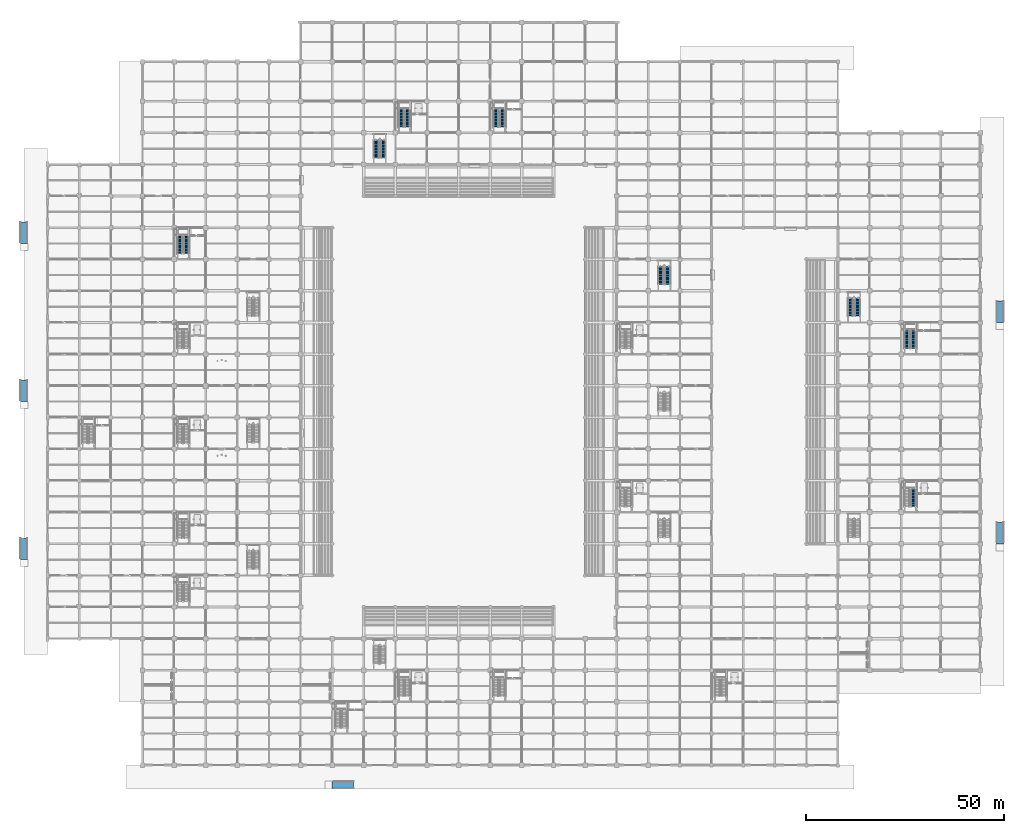
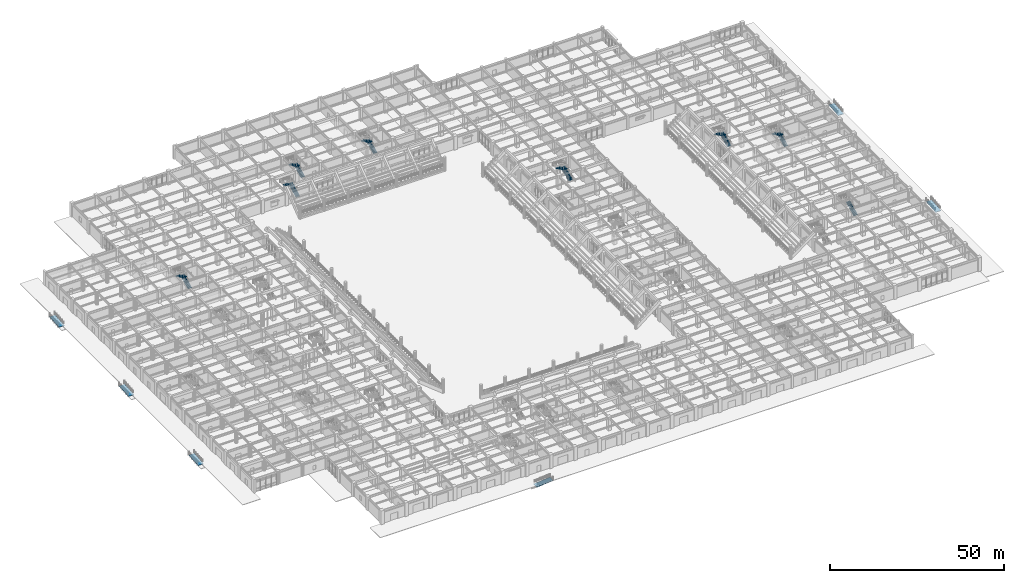
# One storey, part 96 of 125: 15 stair flights, 6 ramp flights, 14 elements without a shape of their own.
"""IFC4 building model written with IfcOpenShell, lengths in metres."""

from ifc_helpers import new_model, si_unit, direction, frame, origin, place, context, subcontext, project, spatial, polyline, outline, extrude, material, layer, layer_set, type_object, element, aggregate, save


model = new_model("IFC4")

# Units and contexts
model_context = context("Model", 3, precision=1e-05, world=origin(), true_north=direction((0.0, 1.0)))
body_context = subcontext(model_context, "Body", "Model", "MODEL_VIEW")
ifc_project = project(units=[si_unit("LENGTHUNIT", "METRE"), si_unit("AREAUNIT", "SQUARE_METRE"), si_unit("VOLUMEUNIT", "CUBIC_METRE"), si_unit("PLANEANGLEUNIT", "RADIAN"), si_unit("MASSUNIT", "GRAM", prefix="KILO")], contexts=[model_context])

# Site, building, storey
site_placement = place(None, origin())
site = spatial("IfcSite", under=ifc_project, at=site_placement, CompositionType="ELEMENT")
building_placement = place(site_placement, origin())
building = spatial("IfcBuilding", under=site, at=building_placement, Name="Haebicheon Civic Stadium", CompositionType="ELEMENT")
storey_placement = place(building_placement, origin())
storey = spatial("IfcBuildingStorey", under=building, at=storey_placement, Name="L01", CompositionType="ELEMENT", Elevation=0.0)

# Stair, stair flights
ifc_material_1 = material(Name="Concrete C40/50", Category="concrete")
stair_type_1 = type_object("IfcStairType", Name="STR-DL-W126-H48", PredefinedType="HALF_TURN_STAIR", material=ifc_material_1)
stair_1_placement = place(storey_placement, origin())
stair_1 = element("IfcStair", 1, at=stair_1_placement, inside=storey, type_object=stair_type_1, material=ifc_material_1, Name="L01 Escape stair ST-05", PredefinedType="HALF_TURN_STAIR")
ifc_material_2 = material(Name="Concrete C40/50", Category="concrete")
stair_flight_type_1 = type_object("IfcStairFlightType", Name="STF-DL-W126-H48", PredefinedType="STRAIGHT", material=ifc_material_2)
stair_flight_1_placement = place(storey_placement, frame((35.110107421875, 129.449951171875, 0.0), z_axis=(0.0, 0.0, 1.0), x_axis=(0.0, 1.0, 0.0)))
stair_flight_1 = element("IfcStairFlight", 2, at=stair_flight_1_placement, type_object=stair_flight_type_1, material=ifc_material_2, Name="ST-05 flight 1", NumberOfRisers=16, NumberOfTreads=15, PredefinedType="STRAIGHT", RiserHeight=0.15, TreadLength=0.3, context=body_context, shape_type="SweptSolid", body=[
    extrude(outline(polyline([(0.0, 0.0), (0.0, 0.14990234375), (0.300048828125, 0.14990234375), (0.300048828125, 0.300048828125), (0.60009765625, 0.300048828125), (0.60009765625, 0.449951171875), (0.89990234375, 0.449951171875), (0.89990234375, 0.60009765625), (1.199951171875, 0.60009765625), (1.199951171875, 0.75), (1.5, 0.75), (1.5, 0.89990234375), (1.800048828125, 0.89990234375), (1.800048828125, 1.050048828125), (2.10009765625, 1.050048828125), (2.10009765625, 1.199951171875), (2.39990234375, 1.199951171875), (2.39990234375, 1.35009765625), (2.699951171875, 1.35009765625), (2.699951171875, 1.5), (3.0, 1.5), (3.0, 1.64990234375), (3.300048828125, 1.64990234375), (3.300048828125, 1.800048828125), (3.60009765625, 1.800048828125), (3.60009765625, 1.949951171875), (3.89990234375, 1.949951171875), (3.89990234375, 2.10009765625), (4.199951171875, 2.10009765625), (4.199951171875, 2.25), (4.5, 2.25), (4.5, 2.39990234375), (4.5, 2.0712890625), (0.357666015625, 0.0), (0.0, 0.0)])), frame((0.0, 0.6298828125, 0.0), z_axis=(0.0, -1.0, 0.0), x_axis=(1.0, 0.0, 0.0)), (0.0, 0.0, 1.0), 1.260009765625),
])
stair_flight_2_placement = place(storey_placement, frame((33.469970703125, 133.949951171875, 2.39990234375), z_axis=(0.0, 0.0, 1.0), x_axis=(0.0, -1.0, 0.0)))
stair_flight_2 = element("IfcStairFlight", 3, at=stair_flight_2_placement, type_object=stair_flight_type_1, material=ifc_material_2, Name="ST-05 flight 2", NumberOfRisers=16, NumberOfTreads=15, PredefinedType="STRAIGHT", RiserHeight=0.15, TreadLength=0.3, context=body_context, shape_type="SweptSolid", body=[
    extrude(outline(polyline([(0.0, 0.0), (0.0, 0.14990234375), (0.300048828125, 0.14990234375), (0.300048828125, 0.300048828125), (0.60009765625, 0.300048828125), (0.60009765625, 0.449951171875), (0.89990234375, 0.449951171875), (0.89990234375, 0.60009765625), (1.199951171875, 0.60009765625), (1.199951171875, 0.75), (1.5, 0.75), (1.5, 0.89990234375), (1.800048828125, 0.89990234375), (1.800048828125, 1.050048828125), (2.10009765625, 1.050048828125), (2.10009765625, 1.199951171875), (2.39990234375, 1.199951171875), (2.39990234375, 1.35009765625), (2.699951171875, 1.35009765625), (2.699951171875, 1.5), (3.0, 1.5), (3.0, 1.64990234375), (3.300048828125, 1.64990234375), (3.300048828125, 1.800048828125), (3.60009765625, 1.800048828125), (3.60009765625, 1.949951171875), (3.89990234375, 1.949951171875), (3.89990234375, 2.10009765625), (4.199951171875, 2.10009765625), (4.199951171875, 2.25), (4.5, 2.25), (4.5, 2.39990234375), (4.5, 2.0712890625), (0.357666015625, 0.0), (0.0, 0.0)])), frame((0.0, 0.6298828125, 0.0), z_axis=(0.0, -1.0, 0.0), x_axis=(1.0, 0.0, 0.0)), (0.0, 0.0, 1.0), 1.260009765625),
])
aggregate(stair_1, [stair_flight_1, stair_flight_2])

stair_2_placement = place(storey_placement, origin())
stair_2 = element("IfcStair", 4, at=stair_2_placement, inside=storey, type_object=stair_type_1, material=ifc_material_1, Name="L01 Escape stair ST-09", PredefinedType="HALF_TURN_STAIR")
stair_flight_3_placement = place(storey_placement, frame((115.110107421875, 161.449951171875, 0.0), z_axis=(0.0, 0.0, 1.0), x_axis=(0.0, 1.0, 0.0)))
stair_flight_3 = element("IfcStairFlight", 5, at=stair_flight_3_placement, type_object=stair_flight_type_1, material=ifc_material_2, Name="ST-09 flight 1", NumberOfRisers=16, NumberOfTreads=15, PredefinedType="STRAIGHT", RiserHeight=0.15, TreadLength=0.3, context=body_context, shape_type="SweptSolid", body=[
    extrude(outline(polyline([(0.0, 0.0), (0.0, 0.14990234375), (0.300048828125, 0.14990234375), (0.300048828125, 0.300048828125), (0.60009765625, 0.300048828125), (0.60009765625, 0.449951171875), (0.89990234375, 0.449951171875), (0.89990234375, 0.60009765625), (1.199951171875, 0.60009765625), (1.199951171875, 0.75), (1.5, 0.75), (1.5, 0.89990234375), (1.800048828125, 0.89990234375), (1.800048828125, 1.050048828125), (2.10009765625, 1.050048828125), (2.10009765625, 1.199951171875), (2.39990234375, 1.199951171875), (2.39990234375, 1.35009765625), (2.699951171875, 1.35009765625), (2.699951171875, 1.5), (3.0, 1.5), (3.0, 1.64990234375), (3.300048828125, 1.64990234375), (3.300048828125, 1.800048828125), (3.60009765625, 1.800048828125), (3.60009765625, 1.949951171875), (3.89990234375, 1.949951171875), (3.89990234375, 2.10009765625), (4.199951171875, 2.10009765625), (4.199951171875, 2.25), (4.5, 2.25), (4.5, 2.39990234375), (4.5, 2.0712890625), (0.357666015625, 0.0), (0.0, 0.0)])), frame((0.0, 0.6298828125, 0.0), z_axis=(0.0, -1.0, 0.0), x_axis=(1.0, 0.0, 0.0)), (0.0, 0.0, 1.0), 1.260009765625),
])
stair_flight_4_placement = place(storey_placement, frame((113.469970703125, 165.949951171875, 2.39990234375), z_axis=(0.0, 0.0, 1.0), x_axis=(0.0, -1.0, 0.0)))
stair_flight_4 = element("IfcStairFlight", 6, at=stair_flight_4_placement, type_object=stair_flight_type_1, material=ifc_material_2, Name="ST-09 flight 2", NumberOfRisers=16, NumberOfTreads=15, PredefinedType="STRAIGHT", RiserHeight=0.15, TreadLength=0.3, context=body_context, shape_type="SweptSolid", body=[
    extrude(outline(polyline([(0.0, 0.0), (0.0, 0.14990234375), (0.300048828125, 0.14990234375), (0.300048828125, 0.300048828125), (0.60009765625, 0.300048828125), (0.60009765625, 0.449951171875), (0.89990234375, 0.449951171875), (0.89990234375, 0.60009765625), (1.199951171875, 0.60009765625), (1.199951171875, 0.75), (1.5, 0.75), (1.5, 0.89990234375), (1.800048828125, 0.89990234375), (1.800048828125, 1.050048828125), (2.10009765625, 1.050048828125), (2.10009765625, 1.199951171875), (2.39990234375, 1.199951171875), (2.39990234375, 1.35009765625), (2.699951171875, 1.35009765625), (2.699951171875, 1.5), (3.0, 1.5), (3.0, 1.64990234375), (3.300048828125, 1.64990234375), (3.300048828125, 1.800048828125), (3.60009765625, 1.800048828125), (3.60009765625, 1.949951171875), (3.89990234375, 1.949951171875), (3.89990234375, 2.10009765625), (4.199951171875, 2.10009765625), (4.199951171875, 2.25), (4.5, 2.25), (4.5, 2.39990234375), (4.5, 2.0712890625), (0.357666015625, 0.0), (0.0, 0.0)])), frame((0.0, 0.6298828125, 0.0), z_axis=(0.0, -1.0, 0.0), x_axis=(1.0, 0.0, 0.0)), (0.0, 0.0, 1.0), 1.260009765625),
])
aggregate(stair_2, [stair_flight_3, stair_flight_4])

stair_3_placement = place(storey_placement, origin())
stair_3 = element("IfcStair", 7, at=stair_3_placement, inside=storey, type_object=stair_type_1, material=ifc_material_1, Name="L01 Escape stair ST-13", PredefinedType="HALF_TURN_STAIR")
stair_flight_5_placement = place(storey_placement, frame((219.110107421875, 105.449951171875, 0.0), z_axis=(0.0, 0.0, 1.0), x_axis=(0.0, 1.0, 0.0)))
stair_flight_5 = element("IfcStairFlight", 8, at=stair_flight_5_placement, type_object=stair_flight_type_1, material=ifc_material_2, Name="ST-13 flight 1", NumberOfRisers=16, NumberOfTreads=15, PredefinedType="STRAIGHT", RiserHeight=0.15, TreadLength=0.3, context=body_context, shape_type="SweptSolid", body=[
    extrude(outline(polyline([(0.0, 0.0), (0.0, 0.14990234375), (0.300048828125, 0.14990234375), (0.300048828125, 0.300048828125), (0.60009765625, 0.300048828125), (0.60009765625, 0.449951171875), (0.89990234375, 0.449951171875), (0.89990234375, 0.60009765625), (1.199951171875, 0.60009765625), (1.199951171875, 0.75), (1.5, 0.75), (1.5, 0.89990234375), (1.800048828125, 0.89990234375), (1.800048828125, 1.050048828125), (2.10009765625, 1.050048828125), (2.10009765625, 1.199951171875), (2.39990234375, 1.199951171875), (2.39990234375, 1.35009765625), (2.699951171875, 1.35009765625), (2.699951171875, 1.5), (3.0, 1.5), (3.0, 1.64990234375), (3.300048828125, 1.64990234375), (3.300048828125, 1.800048828125), (3.60009765625, 1.800048828125), (3.60009765625, 1.949951171875), (3.89990234375, 1.949951171875), (3.89990234375, 2.10009765625), (4.199951171875, 2.10009765625), (4.199951171875, 2.25), (4.5, 2.25), (4.5, 2.39990234375), (4.5, 2.0712890625), (0.357666015625, 0.0), (0.0, 0.0)])), frame((0.0, 0.6298828125, 0.0), z_axis=(0.0, -1.0, 0.0), x_axis=(1.0, 0.0, 0.0)), (0.0, 0.0, 1.0), 1.260009765625),
])
stair_flight_6_placement = place(storey_placement, frame((217.469970703125, 109.949951171875, 2.39990234375), z_axis=(0.0, 0.0, 1.0), x_axis=(0.0, -1.0, 0.0)))
stair_flight_6 = element("IfcStairFlight", 9, at=stair_flight_6_placement, type_object=stair_flight_type_1, material=ifc_material_2, Name="ST-13 flight 2", NumberOfRisers=16, NumberOfTreads=15, PredefinedType="STRAIGHT", RiserHeight=0.15, TreadLength=0.3, context=body_context, shape_type="SweptSolid", body=[
    extrude(outline(polyline([(0.0, 0.0), (0.0, 0.14990234375), (0.300048828125, 0.14990234375), (0.300048828125, 0.300048828125), (0.60009765625, 0.300048828125), (0.60009765625, 0.449951171875), (0.89990234375, 0.449951171875), (0.89990234375, 0.60009765625), (1.199951171875, 0.60009765625), (1.199951171875, 0.75), (1.5, 0.75), (1.5, 0.89990234375), (1.800048828125, 0.89990234375), (1.800048828125, 1.050048828125), (2.10009765625, 1.050048828125), (2.10009765625, 1.199951171875), (2.39990234375, 1.199951171875), (2.39990234375, 1.35009765625), (2.699951171875, 1.35009765625), (2.699951171875, 1.5), (3.0, 1.5), (3.0, 1.64990234375), (3.300048828125, 1.64990234375), (3.300048828125, 1.800048828125), (3.60009765625, 1.800048828125), (3.60009765625, 1.949951171875), (3.89990234375, 1.949951171875), (3.89990234375, 2.10009765625), (4.199951171875, 2.10009765625), (4.199951171875, 2.25), (4.5, 2.25), (4.5, 2.39990234375), (4.5, 2.0712890625), (0.357666015625, 0.0), (0.0, 0.0)])), frame((0.0, 0.6298828125, 0.0), z_axis=(0.0, -1.0, 0.0), x_axis=(1.0, 0.0, 0.0)), (0.0, 0.0, 1.0), 1.260009765625),
])
aggregate(stair_3, [stair_flight_5, stair_flight_6])

ifc_material_3 = material(Name="Concrete C40/50", Category="concrete")
stair_type_2 = type_object("IfcStairType", Name="STR-DL-W128-H48", PredefinedType="HALF_TURN_STAIR", material=ifc_material_3)
stair_4_placement = place(storey_placement, origin())
stair_4 = element("IfcStair", 10, at=stair_4_placement, inside=storey, type_object=stair_type_2, material=ifc_material_3, Name="L01 Escape stair ST-08", PredefinedType="HALF_TURN_STAIR")
ifc_material_4 = material(Name="Concrete C40/50", Category="concrete")
stair_flight_type_2 = type_object("IfcStairFlightType", Name="STF-DL-W128-H48", PredefinedType="STRAIGHT", material=ifc_material_4)
stair_flight_7_placement = place(storey_placement, frame((91.10009765625, 161.449951171875, 0.0), z_axis=(0.0, 0.0, 1.0), x_axis=(0.0, 1.0, 0.0)))
stair_flight_7 = element("IfcStairFlight", 11, at=stair_flight_7_placement, type_object=stair_flight_type_2, material=ifc_material_4, Name="ST-08 flight 1", NumberOfRisers=16, NumberOfTreads=15, PredefinedType="STRAIGHT", RiserHeight=0.15, TreadLength=0.3, context=body_context, shape_type="SweptSolid", body=[
    extrude(outline(polyline([(0.0, 0.0), (0.0, 0.14990234375), (0.300048828125, 0.14990234375), (0.300048828125, 0.300048828125), (0.60009765625, 0.300048828125), (0.60009765625, 0.449951171875), (0.89990234375, 0.449951171875), (0.89990234375, 0.60009765625), (1.199951171875, 0.60009765625), (1.199951171875, 0.75), (1.5, 0.75), (1.5, 0.89990234375), (1.800048828125, 0.89990234375), (1.800048828125, 1.050048828125), (2.10009765625, 1.050048828125), (2.10009765625, 1.199951171875), (2.39990234375, 1.199951171875), (2.39990234375, 1.35009765625), (2.699951171875, 1.35009765625), (2.699951171875, 1.5), (3.0, 1.5), (3.0, 1.64990234375), (3.300048828125, 1.64990234375), (3.300048828125, 1.800048828125), (3.60009765625, 1.800048828125), (3.60009765625, 1.949951171875), (3.89990234375, 1.949951171875), (3.89990234375, 2.10009765625), (4.199951171875, 2.10009765625), (4.199951171875, 2.25), (4.5, 2.25), (4.5, 2.39990234375), (4.5, 2.0712890625), (0.357666015625, 0.0), (0.0, 0.0)])), frame((0.0, 0.64013671875, 0.0), z_axis=(0.0, -1.0, 0.0), x_axis=(1.0, 0.0, 0.0)), (0.0, 0.0, 1.0), 1.280029296875),
])
stair_flight_8_placement = place(storey_placement, frame((89.47998046875, 165.949951171875, 2.39990234375), z_axis=(0.0, 0.0, 1.0), x_axis=(0.0, -1.0, 0.0)))
stair_flight_8 = element("IfcStairFlight", 12, at=stair_flight_8_placement, type_object=stair_flight_type_2, material=ifc_material_4, Name="ST-08 flight 2", NumberOfRisers=16, NumberOfTreads=15, PredefinedType="STRAIGHT", RiserHeight=0.15, TreadLength=0.3, context=body_context, shape_type="SweptSolid", body=[
    extrude(outline(polyline([(0.0, 0.0), (0.0, 0.14990234375), (0.300048828125, 0.14990234375), (0.300048828125, 0.300048828125), (0.60009765625, 0.300048828125), (0.60009765625, 0.449951171875), (0.89990234375, 0.449951171875), (0.89990234375, 0.60009765625), (1.199951171875, 0.60009765625), (1.199951171875, 0.75), (1.5, 0.75), (1.5, 0.89990234375), (1.800048828125, 0.89990234375), (1.800048828125, 1.050048828125), (2.10009765625, 1.050048828125), (2.10009765625, 1.199951171875), (2.39990234375, 1.199951171875), (2.39990234375, 1.35009765625), (2.699951171875, 1.35009765625), (2.699951171875, 1.5), (3.0, 1.5), (3.0, 1.64990234375), (3.300048828125, 1.64990234375), (3.300048828125, 1.800048828125), (3.60009765625, 1.800048828125), (3.60009765625, 1.949951171875), (3.89990234375, 1.949951171875), (3.89990234375, 2.10009765625), (4.199951171875, 2.10009765625), (4.199951171875, 2.25), (4.5, 2.25), (4.5, 2.39990234375), (4.5, 2.0712890625), (0.357666015625, 0.0), (0.0, 0.0)])), frame((0.0, 0.64013671875, 0.0), z_axis=(0.0, -1.0, 0.0), x_axis=(1.0, 0.0, 0.0)), (0.0, 0.0, 1.0), 1.280029296875),
])
aggregate(stair_4, [stair_flight_7, stair_flight_8])

# Stair, stair flight
stair_5_placement = place(storey_placement, origin())
stair_5 = element("IfcStair", 13, at=stair_5_placement, inside=storey, type_object=stair_type_2, material=ifc_material_3, Name="L01 Escape stair ST-12", PredefinedType="HALF_TURN_STAIR")
stair_flight_9_placement = place(storey_placement, frame((219.10009765625, 65.449951171875, 0.0), z_axis=(0.0, 0.0, 1.0), x_axis=(0.0, 1.0, 0.0)))
stair_flight_9 = element("IfcStairFlight", 14, at=stair_flight_9_placement, type_object=stair_flight_type_2, material=ifc_material_4, Name="ST-12 flight 1", NumberOfRisers=16, NumberOfTreads=15, PredefinedType="STRAIGHT", RiserHeight=0.15, TreadLength=0.3, context=body_context, shape_type="SweptSolid", body=[
    extrude(outline(polyline([(0.0, 0.0), (0.0, 0.14990234375), (0.300048828125, 0.14990234375), (0.300048828125, 0.300048828125), (0.60009765625, 0.300048828125), (0.60009765625, 0.449951171875), (0.89990234375, 0.449951171875), (0.89990234375, 0.60009765625), (1.199951171875, 0.60009765625), (1.199951171875, 0.75), (1.5, 0.75), (1.5, 0.89990234375), (1.800048828125, 0.89990234375), (1.800048828125, 1.050048828125), (2.10009765625, 1.050048828125), (2.10009765625, 1.199951171875), (2.39990234375, 1.199951171875), (2.39990234375, 1.35009765625), (2.699951171875, 1.35009765625), (2.699951171875, 1.5), (3.0, 1.5), (3.0, 1.64990234375), (3.300048828125, 1.64990234375), (3.300048828125, 1.800048828125), (3.60009765625, 1.800048828125), (3.60009765625, 1.949951171875), (3.89990234375, 1.949951171875), (3.89990234375, 2.10009765625), (4.199951171875, 2.10009765625), (4.199951171875, 2.25), (4.5, 2.25), (4.5, 2.39990234375), (4.5, 2.0712890625), (0.357666015625, 0.0), (0.0, 0.0)])), frame((0.0, 0.64013671875, 0.0), z_axis=(0.0, -1.0, 0.0), x_axis=(1.0, 0.0, 0.0)), (0.0, 0.0, 1.0), 1.280029296875),
])
aggregate(stair_5, [stair_flight_9])

# Stair, stair flights
ifc_material_5 = material(Name="Concrete C40/50", Category="concrete")
stair_type_3 = type_object("IfcStairType", Name="STR-DL-W136-H48", PredefinedType="HALF_TURN_STAIR", material=ifc_material_5)
stair_6_placement = place(storey_placement, origin())
stair_6 = element("IfcStair", 15, at=stair_6_placement, inside=storey, type_object=stair_type_3, material=ifc_material_5, Name="Vomitory stair VM-09 (L01)", PredefinedType="HALF_TURN_STAIR")
ifc_material_6 = material(Name="Concrete C40/50", Category="concrete")
stair_flight_type_3 = type_object("IfcStairFlightType", Name="STF-DL-W136-H48", PredefinedType="STRAIGHT", material=ifc_material_6)
stair_flight_10_placement = place(storey_placement, frame((84.9599609375, 153.64990234375, 0.0), z_axis=(0.0, 0.0, 1.0), x_axis=(0.0, 1.0, 0.0)))
stair_flight_10 = element("IfcStairFlight", 16, at=stair_flight_10_placement, type_object=stair_flight_type_3, material=ifc_material_6, Name="VM-09 flight 1", NumberOfRisers=16, NumberOfTreads=15, PredefinedType="STRAIGHT", RiserHeight=0.15, TreadLength=0.3, context=body_context, shape_type="SweptSolid", body=[
    extrude(outline(polyline([(0.0, 0.0), (0.0, 0.14990234375), (0.300048828125, 0.14990234375), (0.300048828125, 0.300048828125), (0.60009765625, 0.300048828125), (0.60009765625, 0.449951171875), (0.89990234375, 0.449951171875), (0.89990234375, 0.60009765625), (1.199951171875, 0.60009765625), (1.199951171875, 0.75), (1.5, 0.75), (1.5, 0.89990234375), (1.800048828125, 0.89990234375), (1.800048828125, 1.050048828125), (2.10009765625, 1.050048828125), (2.10009765625, 1.199951171875), (2.39990234375, 1.199951171875), (2.39990234375, 1.35009765625), (2.699951171875, 1.35009765625), (2.699951171875, 1.5), (3.0, 1.5), (3.0, 1.64990234375), (3.300048828125, 1.64990234375), (3.300048828125, 1.800048828125), (3.60009765625, 1.800048828125), (3.60009765625, 1.949951171875), (3.89990234375, 1.949951171875), (3.89990234375, 2.10009765625), (4.199951171875, 2.10009765625), (4.199951171875, 2.25), (4.5, 2.25), (4.5, 2.39990234375), (4.5, 2.0712890625), (0.357666015625, 0.0), (0.0, 0.0)])), frame((0.0, 0.68017578125, 0.0), z_axis=(0.0, -1.0, 0.0), x_axis=(1.0, 0.0, 0.0)), (0.0, 0.0, 1.0), 1.360107421875),
])
stair_flight_11_placement = place(storey_placement, frame((83.139892578125, 158.14990234375, 2.39990234375), z_axis=(0.0, 0.0, 1.0), x_axis=(0.0, -1.0, 0.0)))
stair_flight_11 = element("IfcStairFlight", 17, at=stair_flight_11_placement, type_object=stair_flight_type_3, material=ifc_material_6, Name="VM-09 flight 2", NumberOfRisers=16, NumberOfTreads=15, PredefinedType="STRAIGHT", RiserHeight=0.15, TreadLength=0.3, context=body_context, shape_type="SweptSolid", body=[
    extrude(outline(polyline([(0.0, 0.0), (0.0, 0.14990234375), (0.300048828125, 0.14990234375), (0.300048828125, 0.300048828125), (0.60009765625, 0.300048828125), (0.60009765625, 0.449951171875), (0.89990234375, 0.449951171875), (0.89990234375, 0.60009765625), (1.199951171875, 0.60009765625), (1.199951171875, 0.75), (1.5, 0.75), (1.5, 0.89990234375), (1.800048828125, 0.89990234375), (1.800048828125, 1.050048828125), (2.10009765625, 1.050048828125), (2.10009765625, 1.199951171875), (2.39990234375, 1.199951171875), (2.39990234375, 1.35009765625), (2.699951171875, 1.35009765625), (2.699951171875, 1.5), (3.0, 1.5), (3.0, 1.64990234375), (3.300048828125, 1.64990234375), (3.300048828125, 1.800048828125), (3.60009765625, 1.800048828125), (3.60009765625, 1.949951171875), (3.89990234375, 1.949951171875), (3.89990234375, 2.10009765625), (4.199951171875, 2.10009765625), (4.199951171875, 2.25), (4.5, 2.25), (4.5, 2.39990234375), (4.5, 2.0712890625), (0.357666015625, 0.0), (0.0, 0.0)])), frame((0.0, 0.68017578125, 0.0), z_axis=(0.0, -1.0, 0.0), x_axis=(1.0, 0.0, 0.0)), (0.0, 0.0, 1.0), 1.360107421875),
])
aggregate(stair_6, [stair_flight_10, stair_flight_11])

ifc_material_7 = material(Name="Concrete C40/50", Category="concrete")
stair_type_4 = type_object("IfcStairType", Name="STR-DL-W140-H48", PredefinedType="HALF_TURN_STAIR", material=ifc_material_7)
stair_7_placement = place(storey_placement, origin())
stair_7 = element("IfcStair", 18, at=stair_7_placement, inside=storey, type_object=stair_type_4, material=ifc_material_7, Name="Vomitory stair VM-08 (L01)", PredefinedType="HALF_TURN_STAIR")
ifc_material_8 = material(Name="Concrete C40/50", Category="concrete")
stair_flight_type_4 = type_object("IfcStairFlightType", Name="STF-DL-W140-H48", PredefinedType="STRAIGHT", material=ifc_material_8)
stair_flight_12_placement = place(storey_placement, frame((156.93994140625, 121.64990234375, 0.0), z_axis=(0.0, 0.0, 1.0), x_axis=(0.0, 1.0, 0.0)))
stair_flight_12 = element("IfcStairFlight", 19, at=stair_flight_12_placement, type_object=stair_flight_type_4, material=ifc_material_8, Name="VM-08 flight 1", NumberOfRisers=16, NumberOfTreads=15, PredefinedType="STRAIGHT", RiserHeight=0.15, TreadLength=0.3, context=body_context, shape_type="SweptSolid", body=[
    extrude(outline(polyline([(0.0, 0.0), (0.0, 0.14990234375), (0.300048828125, 0.14990234375), (0.300048828125, 0.300048828125), (0.60009765625, 0.300048828125), (0.60009765625, 0.449951171875), (0.89990234375, 0.449951171875), (0.89990234375, 0.60009765625), (1.199951171875, 0.60009765625), (1.199951171875, 0.75), (1.5, 0.75), (1.5, 0.89990234375), (1.800048828125, 0.89990234375), (1.800048828125, 1.050048828125), (2.10009765625, 1.050048828125), (2.10009765625, 1.199951171875), (2.39990234375, 1.199951171875), (2.39990234375, 1.35009765625), (2.699951171875, 1.35009765625), (2.699951171875, 1.5), (3.0, 1.5), (3.0, 1.64990234375), (3.300048828125, 1.64990234375), (3.300048828125, 1.800048828125), (3.60009765625, 1.800048828125), (3.60009765625, 1.949951171875), (3.89990234375, 1.949951171875), (3.89990234375, 2.10009765625), (4.199951171875, 2.10009765625), (4.199951171875, 2.25), (4.5, 2.25), (4.5, 2.39990234375), (4.5, 2.0712890625), (0.357666015625, 0.0), (0.0, 0.0)])), frame((0.0, 0.699951171875, 0.0), z_axis=(0.0, -1.0, 0.0), x_axis=(1.0, 0.0, 0.0)), (0.0, 0.0, 1.0), 1.39990234375),
])
stair_flight_13_placement = place(storey_placement, frame((155.159912109375, 126.14990234375, 2.39990234375), z_axis=(0.0, 0.0, 1.0), x_axis=(0.0, -1.0, 0.0)))
stair_flight_13 = element("IfcStairFlight", 20, at=stair_flight_13_placement, type_object=stair_flight_type_4, material=ifc_material_8, Name="VM-08 flight 2", NumberOfRisers=16, NumberOfTreads=15, PredefinedType="STRAIGHT", RiserHeight=0.15, TreadLength=0.3, context=body_context, shape_type="SweptSolid", body=[
    extrude(outline(polyline([(0.0, 0.0), (0.0, 0.14990234375), (0.300048828125, 0.14990234375), (0.300048828125, 0.300048828125), (0.60009765625, 0.300048828125), (0.60009765625, 0.449951171875), (0.89990234375, 0.449951171875), (0.89990234375, 0.60009765625), (1.199951171875, 0.60009765625), (1.199951171875, 0.75), (1.5, 0.75), (1.5, 0.89990234375), (1.800048828125, 0.89990234375), (1.800048828125, 1.050048828125), (2.10009765625, 1.050048828125), (2.10009765625, 1.199951171875), (2.39990234375, 1.199951171875), (2.39990234375, 1.35009765625), (2.699951171875, 1.35009765625), (2.699951171875, 1.5), (3.0, 1.5), (3.0, 1.64990234375), (3.300048828125, 1.64990234375), (3.300048828125, 1.800048828125), (3.60009765625, 1.800048828125), (3.60009765625, 1.949951171875), (3.89990234375, 1.949951171875), (3.89990234375, 2.10009765625), (4.199951171875, 2.10009765625), (4.199951171875, 2.25), (4.5, 2.25), (4.5, 2.39990234375), (4.5, 2.0712890625), (0.357666015625, 0.0), (0.0, 0.0)])), frame((0.0, 0.699951171875, 0.0), z_axis=(0.0, -1.0, 0.0), x_axis=(1.0, 0.0, 0.0)), (0.0, 0.0, 1.0), 1.39990234375),
])
aggregate(stair_7, [stair_flight_12, stair_flight_13])

stair_8_placement = place(storey_placement, origin())
stair_8 = element("IfcStair", 21, at=stair_8_placement, inside=storey, type_object=stair_type_4, material=ifc_material_7, Name="Vomitory stair VM-12 (L01)", PredefinedType="HALF_TURN_STAIR")
stair_flight_14_placement = place(storey_placement, frame((204.93994140625, 113.64990234375, 0.0), z_axis=(0.0, 0.0, 1.0), x_axis=(0.0, 1.0, 0.0)))
stair_flight_14 = element("IfcStairFlight", 22, at=stair_flight_14_placement, type_object=stair_flight_type_4, material=ifc_material_8, Name="VM-12 flight 1", NumberOfRisers=16, NumberOfTreads=15, PredefinedType="STRAIGHT", RiserHeight=0.15, TreadLength=0.3, context=body_context, shape_type="SweptSolid", body=[
    extrude(outline(polyline([(0.0, 0.0), (0.0, 0.14990234375), (0.300048828125, 0.14990234375), (0.300048828125, 0.300048828125), (0.60009765625, 0.300048828125), (0.60009765625, 0.449951171875), (0.89990234375, 0.449951171875), (0.89990234375, 0.60009765625), (1.199951171875, 0.60009765625), (1.199951171875, 0.75), (1.5, 0.75), (1.5, 0.89990234375), (1.800048828125, 0.89990234375), (1.800048828125, 1.050048828125), (2.10009765625, 1.050048828125), (2.10009765625, 1.199951171875), (2.39990234375, 1.199951171875), (2.39990234375, 1.35009765625), (2.699951171875, 1.35009765625), (2.699951171875, 1.5), (3.0, 1.5), (3.0, 1.64990234375), (3.300048828125, 1.64990234375), (3.300048828125, 1.800048828125), (3.60009765625, 1.800048828125), (3.60009765625, 1.949951171875), (3.89990234375, 1.949951171875), (3.89990234375, 2.10009765625), (4.199951171875, 2.10009765625), (4.199951171875, 2.25), (4.5, 2.25), (4.5, 2.39990234375), (4.5, 2.0712890625), (0.357666015625, 0.0), (0.0, 0.0)])), frame((0.0, 0.699951171875, 0.0), z_axis=(0.0, -1.0, 0.0), x_axis=(1.0, 0.0, 0.0)), (0.0, 0.0, 1.0), 1.39990234375),
])
stair_flight_15_placement = place(storey_placement, frame((203.159912109375, 118.14990234375, 2.39990234375), z_axis=(0.0, 0.0, 1.0), x_axis=(0.0, -1.0, 0.0)))
stair_flight_15 = element("IfcStairFlight", 23, at=stair_flight_15_placement, type_object=stair_flight_type_4, material=ifc_material_8, Name="VM-12 flight 2", NumberOfRisers=16, NumberOfTreads=15, PredefinedType="STRAIGHT", RiserHeight=0.15, TreadLength=0.3, context=body_context, shape_type="SweptSolid", body=[
    extrude(outline(polyline([(0.0, 0.0), (0.0, 0.14990234375), (0.300048828125, 0.14990234375), (0.300048828125, 0.300048828125), (0.60009765625, 0.300048828125), (0.60009765625, 0.449951171875), (0.89990234375, 0.449951171875), (0.89990234375, 0.60009765625), (1.199951171875, 0.60009765625), (1.199951171875, 0.75), (1.5, 0.75), (1.5, 0.89990234375), (1.800048828125, 0.89990234375), (1.800048828125, 1.050048828125), (2.10009765625, 1.050048828125), (2.10009765625, 1.199951171875), (2.39990234375, 1.199951171875), (2.39990234375, 1.35009765625), (2.699951171875, 1.35009765625), (2.699951171875, 1.5), (3.0, 1.5), (3.0, 1.64990234375), (3.300048828125, 1.64990234375), (3.300048828125, 1.800048828125), (3.60009765625, 1.800048828125), (3.60009765625, 1.949951171875), (3.89990234375, 1.949951171875), (3.89990234375, 2.10009765625), (4.199951171875, 2.10009765625), (4.199951171875, 2.25), (4.5, 2.25), (4.5, 2.39990234375), (4.5, 2.0712890625), (0.357666015625, 0.0), (0.0, 0.0)])), frame((0.0, 0.699951171875, 0.0), z_axis=(0.0, -1.0, 0.0), x_axis=(1.0, 0.0, 0.0)), (0.0, 0.0, 1.0), 1.39990234375),
])
aggregate(stair_8, [stair_flight_14, stair_flight_15])

# Ramp, ramp flight
ifc_material_9 = material(Name="Concrete C35/45", Category="concrete")
ramp_type = type_object("IfcRampType", Name="RMP-ACC-1800", PredefinedType="STRAIGHT_RUN_RAMP", material=ifc_material_9)
ramp_1_placement = place(storey_placement, origin())
ramp_1 = element("IfcRamp", 24, at=ramp_1_placement, inside=storey, type_object=ramp_type, material=ifc_material_9, Name="Accessible entrance ramp RMP-01", PredefinedType="STRAIGHT_RUN_RAMP")
ifc_material_10 = material(Name="Concrete C35/45", Category="concrete")
ifc_layer = layer(ifc_material_10, 0.219970703125, Name="Concrete C35/45")
ifc_layer_set = layer_set([ifc_layer], Name="Concrete C35/45")
ramp_flight_type = type_object("IfcRampFlightType", Name="RMF-ACC-1800", PredefinedType="STRAIGHT", material=ifc_layer_set)
ramp_flight_1_placement = place(storey_placement, frame((-6.0, 52.0, -0.449951171875), z_axis=(0.0, 0.0, 1.0), x_axis=(0.0, 1.0, 0.0)))
ramp_flight_1 = element("IfcRampFlight", 25, at=ramp_flight_1_placement, type_object=ramp_flight_type, material=ifc_layer_set, Name="Accessible ramp flight RMP-01", PredefinedType="STRAIGHT", context=body_context, shape_type="SweptSolid", body=[
    extrude(outline(polyline([(0.0, 0.0), (5.39990234375, 0.449951171875), (5.39990234375, 0.22998046875), (0.0, -0.219970703125), (0.0, 0.0)])), frame((0.0, 0.89990234375, 0.0), z_axis=(0.0, -1.0, 0.0), x_axis=(1.0, 0.0, 0.0)), (0.0, 0.0, 1.0), 1.800048828125),
])
aggregate(ramp_1, [ramp_flight_1])

ramp_2_placement = place(storey_placement, origin())
ramp_2 = element("IfcRamp", 26, at=ramp_2_placement, inside=storey, type_object=ramp_type, material=ifc_material_9, Name="Accessible entrance ramp RMP-02", PredefinedType="STRAIGHT_RUN_RAMP")
ramp_flight_2_placement = place(storey_placement, frame((-6.0, 92.0, -0.449951171875), z_axis=(0.0, 0.0, 1.0), x_axis=(0.0, 1.0, 0.0)))
ramp_flight_2 = element("IfcRampFlight", 27, at=ramp_flight_2_placement, type_object=ramp_flight_type, material=ifc_layer_set, Name="Accessible ramp flight RMP-02", PredefinedType="STRAIGHT", context=body_context, shape_type="SweptSolid", body=[
    extrude(outline(polyline([(0.0, 0.0), (5.39990234375, 0.449951171875), (5.39990234375, 0.22998046875), (0.0, -0.219970703125), (0.0, 0.0)])), frame((0.0, 0.89990234375, 0.0), z_axis=(0.0, -1.0, 0.0), x_axis=(1.0, 0.0, 0.0)), (0.0, 0.0, 1.0), 1.800048828125),
])
aggregate(ramp_2, [ramp_flight_2])

ramp_3_placement = place(storey_placement, origin())
ramp_3 = element("IfcRamp", 28, at=ramp_3_placement, inside=storey, type_object=ramp_type, material=ifc_material_9, Name="Accessible entrance ramp RMP-03", PredefinedType="STRAIGHT_RUN_RAMP")
ramp_flight_3_placement = place(storey_placement, frame((-6.0, 132.0, -0.449951171875), z_axis=(0.0, 0.0, 1.0), x_axis=(0.0, 1.0, 0.0)))
ramp_flight_3 = element("IfcRampFlight", 29, at=ramp_flight_3_placement, type_object=ramp_flight_type, material=ifc_layer_set, Name="Accessible ramp flight RMP-03", PredefinedType="STRAIGHT", context=body_context, shape_type="SweptSolid", body=[
    extrude(outline(polyline([(0.0, 0.0), (5.39990234375, 0.449951171875), (5.39990234375, 0.22998046875), (0.0, -0.219970703125), (0.0, 0.0)])), frame((0.0, 0.89990234375, 0.0), z_axis=(0.0, -1.0, 0.0), x_axis=(1.0, 0.0, 0.0)), (0.0, 0.0, 1.0), 1.800048828125),
])
aggregate(ramp_3, [ramp_flight_3])

ramp_4_placement = place(storey_placement, origin())
ramp_4 = element("IfcRamp", 30, at=ramp_4_placement, inside=storey, type_object=ramp_type, material=ifc_material_9, Name="Accessible entrance ramp RMP-04", PredefinedType="STRAIGHT_RUN_RAMP")
ramp_flight_4_placement = place(storey_placement, frame((241.0, 56.0, -0.449951171875), z_axis=(0.0, 0.0, 1.0), x_axis=(0.0, 1.0, 0.0)))
ramp_flight_4 = element("IfcRampFlight", 31, at=ramp_flight_4_placement, type_object=ramp_flight_type, material=ifc_layer_set, Name="Accessible ramp flight RMP-04", PredefinedType="STRAIGHT", context=body_context, shape_type="SweptSolid", body=[
    extrude(outline(polyline([(0.0, 0.0), (5.39990234375, 0.449951171875), (5.39990234375, 0.22998046875), (0.0, -0.219970703125), (0.0, 0.0)])), frame((0.0, 0.89990234375, 0.0), z_axis=(0.0, -1.0, 0.0), x_axis=(1.0, 0.0, 0.0)), (0.0, 0.0, 1.0), 1.800048828125),
])
aggregate(ramp_4, [ramp_flight_4])

ramp_5_placement = place(storey_placement, origin())
ramp_5 = element("IfcRamp", 32, at=ramp_5_placement, inside=storey, type_object=ramp_type, material=ifc_material_9, Name="Accessible entrance ramp RMP-05", PredefinedType="STRAIGHT_RUN_RAMP")
ramp_flight_5_placement = place(storey_placement, frame((241.0, 112.0, -0.449951171875), z_axis=(0.0, 0.0, 1.0), x_axis=(0.0, 1.0, 0.0)))
ramp_flight_5 = element("IfcRampFlight", 33, at=ramp_flight_5_placement, type_object=ramp_flight_type, material=ifc_layer_set, Name="Accessible ramp flight RMP-05", PredefinedType="STRAIGHT", context=body_context, shape_type="SweptSolid", body=[
    extrude(outline(polyline([(0.0, 0.0), (5.39990234375, 0.449951171875), (5.39990234375, 0.22998046875), (0.0, -0.219970703125), (0.0, 0.0)])), frame((0.0, 0.89990234375, 0.0), z_axis=(0.0, -1.0, 0.0), x_axis=(1.0, 0.0, 0.0)), (0.0, 0.0, 1.0), 1.800048828125),
])
aggregate(ramp_5, [ramp_flight_5])

ramp_6_placement = place(storey_placement, origin())
ramp_6 = element("IfcRamp", 34, at=ramp_6_placement, inside=storey, type_object=ramp_type, material=ifc_material_9, Name="Accessible entrance ramp RMP-06", PredefinedType="STRAIGHT_RUN_RAMP")
ramp_flight_6_placement = place(storey_placement, frame((72.0, -5.0, -0.449951171875), z_axis=(0.0, 0.0, 1.0), x_axis=(1.0, 0.0, 0.0)))
ramp_flight_6 = element("IfcRampFlight", 35, at=ramp_flight_6_placement, type_object=ramp_flight_type, material=ifc_layer_set, Name="Accessible ramp flight RMP-06", PredefinedType="STRAIGHT", context=body_context, shape_type="SweptSolid", body=[
    extrude(outline(polyline([(0.0, 0.0), (5.39990234375, 0.449951171875), (5.39990234375, 0.22998046875), (0.0, -0.219970703125), (0.0, 0.0)])), frame((0.0, 0.89990234375, 0.0), z_axis=(0.0, -1.0, 0.0), x_axis=(1.0, 0.0, 0.0)), (0.0, 0.0, 1.0), 1.800048828125),
])
aggregate(ramp_6, [ramp_flight_6])

save(model, "model.ifc")
